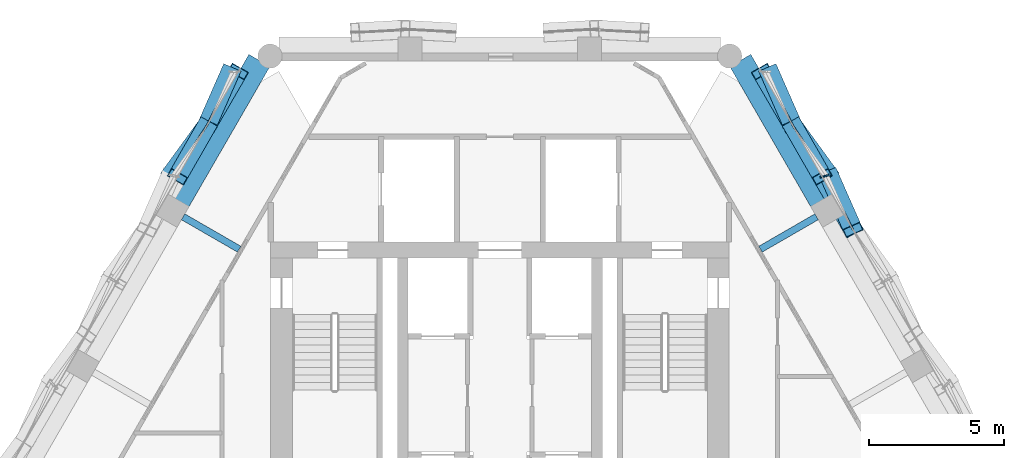
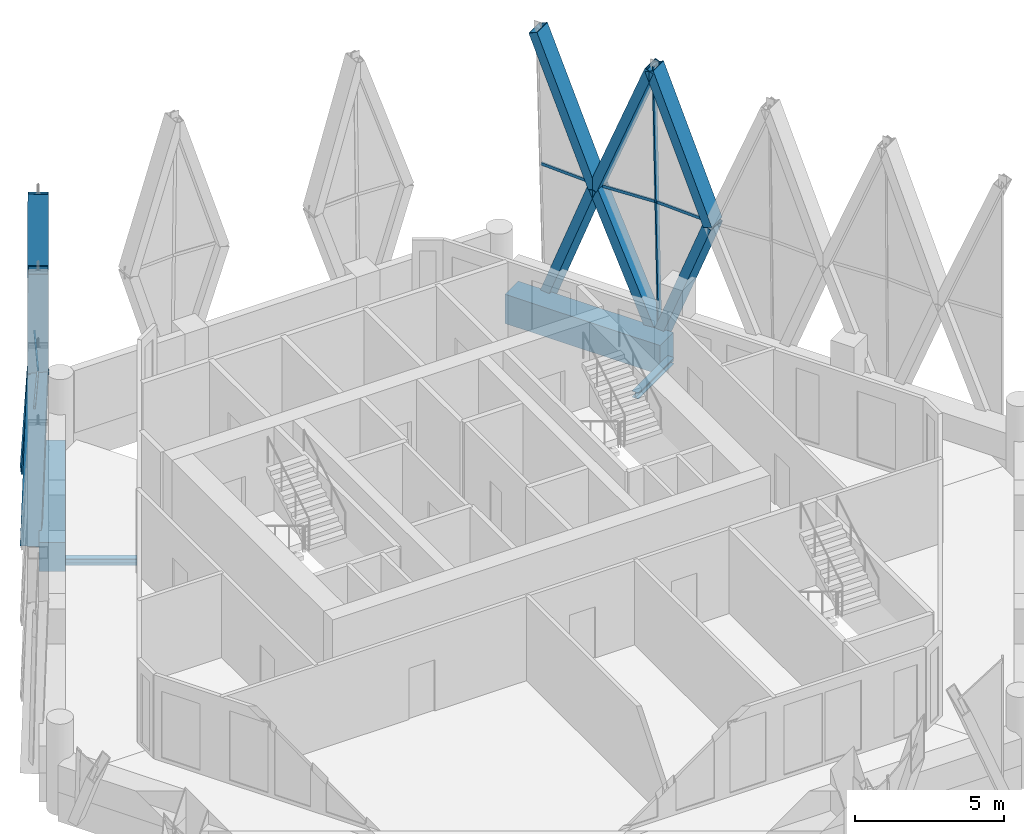
# One storey, part 6 of 21: 17 members, 4 beams, 3 elements without a shape of their own.
"""IFC4 building model written with IfcOpenShell, lengths in metres."""

import ifcopenshell
import ifcopenshell.guid

model = None  # the IFC model being written
_history = None  # IfcOwnerHistory: only IFC2X3 demands one
_inside = {}  # id of a spatial element -> (the spatial element, [elements in it])
_under = {}  # id of a project, library or spatial element -> (it, [spatial elements below it])
_declared = {}  # id of a project -> (the project, [libraries it declares])
_typed = {}  # id of a type object -> (the type object, [elements of that type])
_made_of = {}  # id of a material, layer set ... -> (it, [elements and type objects made of it])


def new_model(schema):
    """Start an empty IFC model of exactly this schema.

    Asked for "IFC4X3", IfcOpenShell would pick the latest addendum, in which some entities
    have other attributes; the version numbers below select the first issue.
    IFC2X3 requires an IfcOwnerHistory on every rooted entity: one is made here for all.
    """
    global model, _history
    if schema == "IFC4X3":
        model = ifcopenshell.file(schema_version=(4, 3, 0, 0))
    else:
        model = ifcopenshell.file(schema=schema)
    _inside.clear()
    _under.clear()
    _declared.clear()
    _typed.clear()
    _made_of.clear()
    _history = None
    if model.schema == "IFC2X3":
        org = make("IfcOrganization", Name="unknown")
        user = make(
            "IfcPersonAndOrganization",
            ThePerson=make("IfcPerson", FamilyName="unknown"),
            TheOrganization=org,
        )
        app = make(
            "IfcApplication",
            ApplicationDeveloper=org,
            Version="unknown",
            ApplicationFullName="unknown",
            ApplicationIdentifier="unknown",
        )
        _history = make(
            "IfcOwnerHistory",
            OwningUser=user,
            OwningApplication=app,
            ChangeAction="ADDED",
            CreationDate=0,
        )
    return model


def make(cls, **values):
    """One entity of the class cls with the attributes given. An attribute that is None is left unset."""
    return model.create_entity(
        cls, **{name: value for name, value in values.items() if value is not None}
    )


def rooted(cls, **values):
    """An entity with a GlobalId (a new one), such as an element, a storey or a relation."""
    return make(cls, GlobalId=ifcopenshell.guid.new(), OwnerHistory=_history, **values)


def si_unit(unit_type, name, prefix=None):
    """IfcSIUnit, for example si_unit("LENGTHUNIT", "METRE", prefix="MILLI")."""
    return make("IfcSIUnit", UnitType=unit_type, Prefix=prefix, Name=name)


def assignment(units):
    """IfcUnitAssignment: the units of a project."""
    return None if units is None else make("IfcUnitAssignment", Units=units)


def point(xyz):
    """IfcCartesianPoint."""
    return None if xyz is None else make("IfcCartesianPoint", Coordinates=xyz)


def direction(xyz):
    """IfcDirection."""
    return None if xyz is None else make("IfcDirection", DirectionRatios=xyz)


def frame(location, z_axis=None, x_axis=None):
    """IfcAxis2Placement3D, a coordinate frame: its origin and axes. An axis left out is left unset."""
    return make(
        "IfcAxis2Placement3D",
        Location=point(location),
        Axis=direction(z_axis),
        RefDirection=direction(x_axis),
    )


def frame_2d(location, x_axis=None):
    """IfcAxis2Placement2D, a coordinate frame in the plane: its origin and x axis."""
    return make(
        "IfcAxis2Placement2D", Location=point(location), RefDirection=direction(x_axis)
    )


def origin():
    """The frame at (0, 0, 0) with its axes left unset."""
    return frame((0.0, 0.0, 0.0))


def origin_2d():
    """The frame at (0, 0) in the plane with its x axis left unset."""
    return frame_2d((0.0, 0.0))


def place(relative_to, where):
    """IfcLocalPlacement: puts the frame where relative to a parent placement (None: the world)."""
    return make(
        "IfcLocalPlacement", PlacementRelTo=relative_to, RelativePlacement=where
    )


def context(
    kind, dimensions, precision=None, world=None, true_north=None, identifier=None
):
    """IfcGeometricRepresentationContext, for example the 3D "Model" context."""
    return make(
        "IfcGeometricRepresentationContext",
        ContextIdentifier=identifier,
        ContextType=kind,
        CoordinateSpaceDimension=dimensions,
        Precision=precision,
        WorldCoordinateSystem=world,
        TrueNorth=true_north,
    )


def subcontext(parent, identifier, kind, view, scale=None):
    """IfcGeometricRepresentationSubContext, for example "Body" below "Model"."""
    return make(
        "IfcGeometricRepresentationSubContext",
        ContextIdentifier=identifier,
        ContextType=kind,
        ParentContext=parent,
        TargetScale=scale,
        TargetView=view,
    )


def project(units=None, contexts=None):
    """IfcProject with its units and contexts."""
    return rooted(
        "IfcProject",
        Name="project",
        RepresentationContexts=contexts,
        UnitsInContext=assignment(units),
    )


def spatial(cls, under=None, at=None, **own):
    """A site, building, storey or space (cls), placed at a placement, below another one or the project."""
    s = rooted(cls, ObjectPlacement=at, **own)
    if under is not None:
        _under.setdefault(under.id(), (under, []))[1].append(s)
    return s


def profile(cls, at=None, kind="AREA", **sizes):
    """A parametric profile (cls). Its sizes go by their IFC names, for example OverallWidth=200.0."""
    return make(cls, ProfileType=kind, Position=at, **sizes)


def rectangle(**sizes):
    """IfcRectangleProfileDef."""
    return profile("IfcRectangleProfileDef", **sizes)


def hollow_rectangle(**sizes):
    """IfcRectangleHollowProfileDef."""
    return profile("IfcRectangleHollowProfileDef", **sizes)


def i_section(**sizes):
    """IfcIShapeProfileDef."""
    return profile("IfcIShapeProfileDef", **sizes)


def extrude(swept, where, along, depth):
    """IfcExtrudedAreaSolid: the profile swept, set in the frame where, extruded along a direction by depth."""
    return make(
        "IfcExtrudedAreaSolid",
        SweptArea=swept,
        Position=where,
        ExtrudedDirection=direction(along),
        Depth=depth,
    )


def shape(context_of_items, identifier, shape_type, items):
    """IfcShapeRepresentation: the items that make up one representation, for example the "Body"."""
    return make(
        "IfcShapeRepresentation",
        ContextOfItems=context_of_items,
        RepresentationIdentifier=identifier,
        RepresentationType=shape_type,
        Items=items,
    )


def material(Name=None, Category=None):
    """IfcMaterial."""
    return make("IfcMaterial", Name=Name, Category=Category)


def material_profile(
    of_material, cross_section, Name=None, Category=None, Priority=None
):
    """IfcMaterialProfile: a cross section and its material."""
    return make(
        "IfcMaterialProfile",
        Name=Name,
        Material=of_material,
        Profile=cross_section,
        Priority=Priority,
        Category=Category,
    )


def profile_set(profiles, Name=None, composite=None):
    """IfcMaterialProfileSet."""
    return make(
        "IfcMaterialProfileSet",
        Name=Name,
        MaterialProfiles=profiles,
        CompositeProfile=composite,
    )


def made_of(thing, what):
    """Note that an element or type object is made of a material, layer set ...; save() writes the relation."""
    if what is not None:
        _made_of.setdefault(what.id(), (what, []))[1].append(thing)
    return thing


def type_object(cls, material=None, **own):
    """A type object (cls), such as IfcWallType, which elements share."""
    return made_of(rooted(cls, **own), material)


def element(
    cls,
    number,
    at=None,
    inside=None,
    cuts=None,
    type_object=None,
    material=None,
    context=None,
    identifier="Body",
    shape_type=None,
    held_by="IfcProductDefinitionShape",
    body=None,
    shapes=None,
    **own,
):
    """One element of the class cls, such as IfcWall. Its Tag is "e" and its number.

    at: its placement. inside: the storey or other place that contains it. cuts: it is an
    opening in that element (IfcRelVoidsElement). A single representation is given by context,
    identifier, shape_type and body (its items); several are given by shapes. held_by: the class
    of the entity that holds the representations. save() writes the other relations.
    """
    e = rooted(cls, Tag="e%d" % number, ObjectPlacement=at, **own)
    if body is not None:
        shapes = [shape(context, identifier, shape_type, body)]
    if shapes is not None:
        e.Representation = make(held_by, Representations=shapes)
    if inside is not None:
        _inside.setdefault(inside.id(), (inside, []))[1].append(e)
    if cuts is not None:
        rooted(
            "IfcRelVoidsElement", RelatingBuildingElement=cuts, RelatedOpeningElement=e
        )
    if type_object is not None:
        _typed.setdefault(type_object.id(), (type_object, []))[1].append(e)
    return made_of(e, material)


def aggregate(whole, parts):
    """IfcRelAggregates: a whole, such as a stair, and the parts it consists of."""
    return rooted("IfcRelAggregates", RelatingObject=whole, RelatedObjects=parts)


def save(model, path):
    """Write the relations noted so far, then the file.

    IfcRelAggregates (storeys below a building ...), IfcRelContainedInSpatialStructure (elements
    in a storey), IfcRelDefinesByType, IfcRelAssociatesMaterial and IfcRelDeclares: one each for
    every whole, place, type object, material and project.
    """
    for whole, parts in _under.values():
        aggregate(whole, parts)
    for where, things in _inside.values():
        rooted(
            "IfcRelContainedInSpatialStructure",
            RelatedElements=things,
            RelatingStructure=where,
        )
    for kind, things in _typed.values():
        rooted("IfcRelDefinesByType", RelatedObjects=things, RelatingType=kind)
    for what, things in _made_of.values():
        rooted("IfcRelAssociatesMaterial", RelatedObjects=things, RelatingMaterial=what)
    for by, libraries in _declared.values():
        rooted("IfcRelDeclares", RelatingContext=by, RelatedDefinitions=libraries)
    model.write(path)


model = new_model("IFC4")

# Units and contexts
model_context = context("Model", 3, precision=1e-05, world=origin(), true_north=direction((0.0, 1.0)))
body_context = subcontext(model_context, "Body", "Model", "MODEL_VIEW")
ifc_project = project(units=[si_unit("LENGTHUNIT", "METRE"), si_unit("AREAUNIT", "SQUARE_METRE"), si_unit("VOLUMEUNIT", "CUBIC_METRE"), si_unit("PLANEANGLEUNIT", "RADIAN"), si_unit("MASSUNIT", "GRAM", prefix="KILO")], contexts=[model_context])

# Site, building, storey
site_placement = place(None, origin())
site = spatial("IfcSite", under=ifc_project, at=site_placement, CompositionType="ELEMENT")
building_placement = place(site_placement, origin())
building = spatial("IfcBuilding", under=site, at=building_placement, Name="Ostrander Bayou Hotel Tower", CompositionType="ELEMENT")
storey_placement = place(building_placement, frame((0.0, 0.0, 256.25)))
storey = spatial("IfcBuildingStorey", under=building, at=storey_placement, Name="L63", CompositionType="ELEMENT", Elevation=256.25)

# Curtain wall, members
ifc_material_1 = material(Name="Aluminium and clear glass", Category="aluminium")
curtain_wall_type = type_object("IfcCurtainWallType", Name="CW-LAT lattice glazing", PredefinedType="NOTDEFINED", material=ifc_material_1)
curtain_wall_1_placement = place(storey_placement, origin())
curtain_wall_1 = element("IfcCurtainWall", 1, at=curtain_wall_1_placement, inside=storey, type_object=curtain_wall_type, Name="CW-LAT L63 NE 1", PredefinedType="NOTDEFINED")
ifc_material_2 = material(Name="Aluminium", Category="aluminium")
ifc_material_profile_1 = material_profile(ifc_material_2, hollow_rectangle(XDim=0.06005859375, YDim=0.159912109375, WallThickness=0.00390625, at=origin_2d()))
ifc_profile_set_1 = profile_set([ifc_material_profile_1], Name="Aluminium")
member_type_1 = type_object("IfcMemberType", Name="CW-LA mullion 60 x 160 mm", PredefinedType="MULLION", material=ifc_profile_set_1)
member_1_placement = place(storey_placement, frame((12.20751953125, 12.174072265625, -0.60009765625), z_axis=(-0.022042924236, -0.005467339476, 0.999742075583), x_axis=(0.240736986276, -0.970590389113, 0.0)))
member_1 = element("IfcMember", 2, at=member_1_placement, type_object=member_type_1, Name="CW-LAT mullion 12", PredefinedType="MULLION", context=body_context, shape_type="SweptSolid", body=[
    extrude(hollow_rectangle(XDim=0.06005859375, YDim=0.159912109375, WallThickness=0.00390625, at=origin_2d()), origin(), (0.0, 0.0, 1.0), 5.62646484375),
])
member_2_placement = place(storey_placement, frame((12.08349609375, 12.143310546875, 5.02490234375), z_axis=(-0.022042924236, -0.005467339476, 0.999742075583), x_axis=(0.240736986276, -0.970590389113, 0.0)))
member_2 = element("IfcMember", 3, at=member_2_placement, type_object=member_type_1, Name="CW-LAT mullion 13", PredefinedType="MULLION", context=body_context, shape_type="SweptSolid", body=[
    extrude(hollow_rectangle(XDim=0.06005859375, YDim=0.159912109375, WallThickness=0.00390625, at=origin_2d()), origin(), (0.0, 0.0, 1.0), 5.62646484375),
])
aggregate(curtain_wall_1, [member_1, member_2])

curtain_wall_2_placement = place(storey_placement, origin())
curtain_wall_2 = element("IfcCurtainWall", 4, at=curtain_wall_2_placement, inside=storey, type_object=curtain_wall_type, Name="CW-LAT L63 NW 2", PredefinedType="NOTDEFINED")
ifc_material_3 = material(Name="Aluminium", Category="aluminium")
ifc_material_profile_2 = material_profile(ifc_material_3, hollow_rectangle(XDim=0.06005859375, YDim=0.1201171875, WallThickness=0.00390625, at=origin_2d()))
ifc_profile_set_2 = profile_set([ifc_material_profile_2], Name="Aluminium")
member_type_2 = type_object("IfcMemberType", Name="CW-LA transom 60 x 120 mm", PredefinedType="USERDEFINED", material=ifc_profile_set_2)
member_3_placement = place(storey_placement, frame((-9.84619140625, 16.0185546875, 5.02490234375), z_axis=(-0.45430446294, -0.890846482259, 0.0), x_axis=(0.890846482259, -0.45430446294, 0.0)))
member_3 = element("IfcMember", 5, at=member_3_placement, type_object=member_type_2, Name="CW-LAT transom 3", ObjectType="TRANSOM", PredefinedType="USERDEFINED", context=body_context, shape_type="SweptSolid", body=[
    extrude(hollow_rectangle(XDim=0.06005859375, YDim=0.1201171875, WallThickness=0.00390625, at=origin_2d()), origin(), (0.0, 0.0, 1.0), 2.240478515625),
])
member_4_placement = place(storey_placement, frame((-12.08349609375, 12.143310546875, 5.02490234375), z_axis=(0.544321698399, 0.838876563418, 0.0), x_axis=(-0.838876563418, 0.544321698399, 0.0)))
member_4 = element("IfcMember", 6, at=member_4_placement, type_object=member_type_2, Name="CW-LAT transom 6", ObjectType="TRANSOM", PredefinedType="USERDEFINED", context=body_context, shape_type="SweptSolid", body=[
    extrude(hollow_rectangle(XDim=0.06005859375, YDim=0.1201171875, WallThickness=0.00390625, at=origin_2d()), origin(), (0.0, 0.0, 1.0), 2.240478515625),
])
aggregate(curtain_wall_2, [member_3, member_4])

curtain_wall_3_placement = place(storey_placement, origin())
curtain_wall_3 = element("IfcCurtainWall", 7, at=curtain_wall_3_placement, inside=storey, type_object=curtain_wall_type, Name="CW-LAT L63 NE 2", PredefinedType="NOTDEFINED")
member_5_placement = place(storey_placement, frame((12.08349609375, 12.143310546875, 5.02490234375), z_axis=(0.454348569345, -0.890823987965, 0.0), x_axis=(0.890823987965, 0.454348569345, 0.0)))
member_5 = element("IfcMember", 8, at=member_5_placement, type_object=member_type_2, Name="CW-LAT transom 14", ObjectType="TRANSOM", PredefinedType="USERDEFINED", context=body_context, shape_type="SweptSolid", body=[
    extrude(hollow_rectangle(XDim=0.06005859375, YDim=0.1201171875, WallThickness=0.00390625, at=origin_2d()), origin(), (0.0, 0.0, 1.0), 2.240234375),
])
member_6_placement = place(storey_placement, frame((12.08349609375, 12.143310546875, 5.02490234375), z_axis=(-0.544321698399, 0.838876563418, 0.0), x_axis=(-0.838876563418, -0.544321698399, 0.0)))
member_6 = element("IfcMember", 9, at=member_6_placement, type_object=member_type_2, Name="CW-LAT transom 15", ObjectType="TRANSOM", PredefinedType="USERDEFINED", context=body_context, shape_type="SweptSolid", body=[
    extrude(hollow_rectangle(XDim=0.06005859375, YDim=0.1201171875, WallThickness=0.00390625, at=origin_2d()), origin(), (0.0, 0.0, 1.0), 2.240478515625),
])
member_7_placement = place(storey_placement, frame((9.84619140625, 16.0185546875, 5.02490234375), z_axis=(0.45430446294, -0.890846482259, 0.0), x_axis=(0.890846482259, 0.45430446294, 0.0)))
member_7 = element("IfcMember", 10, at=member_7_placement, type_object=member_type_2, Name="CW-LAT transom 18", ObjectType="TRANSOM", PredefinedType="USERDEFINED", context=body_context, shape_type="SweptSolid", body=[
    extrude(hollow_rectangle(XDim=0.06005859375, YDim=0.1201171875, WallThickness=0.00390625, at=origin_2d()), origin(), (0.0, 0.0, 1.0), 2.240478515625),
])
aggregate(curtain_wall_3, [member_5, member_6, member_7])

# Beams
ifc_material_4 = material(Name="Steel ASTM A992", Category="steel")
ifc_material_profile_3 = material_profile(ifc_material_4, i_section(OverallWidth=0.25390625, OverallDepth=0.25341796875, WebThickness=0.008544921875, FlangeThickness=0.01416015625, at=origin_2d()))
ifc_profile_set_3 = profile_set([ifc_material_profile_3], Name="Steel ASTM A992")
beam_type_1 = type_object("IfcBeamType", Name="LB2 loggia bracket W10x49", PredefinedType="BEAM", material=ifc_profile_set_3)
for number, where, z_axis, x_axis, name in (
    (11, (-11.749267578125, 10.627685546875, -0.4267578125), (0.866050077142, -0.499957262057, 0.0), (0.499957262057, 0.866050077142, 0.0), "LB2 L63 NW1"),
    (12, (11.749267578125, 10.627685546875, -0.4267578125), (-0.866050077142, -0.499957262057, 0.0), (0.499957262057, -0.866050077142, 0.0), "LB2 L63 NE2"),
):
    element("IfcBeam", number, at=place(storey_placement, frame(where, z_axis=z_axis, x_axis=x_axis)), inside=storey, type_object=beam_type_1, Name=name, PredefinedType="BEAM", context=body_context, shape_type="SweptSolid", body=[
        extrude(i_section(OverallWidth=0.25390625, OverallDepth=0.25341796875, WebThickness=0.008544921875, FlangeThickness=0.01416015625, at=origin_2d()), origin(), (0.0, 0.0, 1.0), 2.400146484375),
    ])

# Members
ifc_material_5 = material(Name="Steel ASTM A572 Gr 50", Category="steel")
ifc_material_profile_4 = material_profile(ifc_material_5, hollow_rectangle(XDim=0.699951171875, YDim=0.35009765625, WallThickness=0.02490234375, at=origin_2d()))
ifc_profile_set_4 = profile_set([ifc_material_profile_4], Name="Steel ASTM A572 Gr 50")
member_type_3 = type_object("IfcMemberType", Name="LT1 lattice member box 700 x 350 x 25 mm", PredefinedType="BRACE", material=ifc_profile_set_4)
member_8_placement = place(storey_placement, frame((-10.864013671875, 14.022705078125, 5.02490234375), z_axis=(0.145248521931, 0.33084610387, -0.93243966155), x_axis=(-0.915645035724, 0.401987771647, 0.0)))
element("IfcMember", 13, at=member_8_placement, inside=storey, type_object=member_type_3, Name="LT1 L63 NW 1", PredefinedType="BRACE", context=body_context, shape_type="SweptSolid", body=[
    extrude(hollow_rectangle(XDim=0.699951171875, YDim=0.35009765625, WallThickness=0.02490234375, at=origin_2d()), origin(), (0.0, 0.0, 1.0), 6.032470703125),
])
member_9_placement = place(storey_placement, frame((-10.864013671875, 14.022705078125, 5.02490234375), z_axis=(0.190728490204, 0.328253769983, 0.925133560907), x_axis=(-0.864640753625, 0.502390651954, 0.0)))
element("IfcMember", 14, at=member_9_placement, inside=storey, type_object=member_type_3, Name="LT1 L63 NW 2", PredefinedType="BRACE", context=body_context, shape_type="SweptSolid", body=[
    extrude(hollow_rectangle(XDim=0.699951171875, YDim=0.35009765625, WallThickness=0.02490234375, at=origin_2d()), origin(), (0.0, 0.0, 1.0), 6.080322265625),
])
member_10_placement = place(storey_placement, frame((-10.864013671875, 14.022705078125, 5.02490234375), z_axis=(-0.221280822703, -0.304477265039, -0.926460140847), x_axis=(0.808934688634, -0.587898519751, 0.0)))
element("IfcMember", 15, at=member_10_placement, inside=storey, type_object=member_type_3, Name="LT1 L63 NW 3", PredefinedType="BRACE", context=body_context, shape_type="SweptSolid", body=[
    extrude(hollow_rectangle(XDim=0.699951171875, YDim=0.35009765625, WallThickness=0.02490234375, at=origin_2d()), origin(), (0.0, 0.0, 1.0), 6.071533203125),
])
member_11_placement = place(storey_placement, frame((-10.864013671875, 14.022705078125, 5.02490234375), z_axis=(-0.18134811444, -0.316217438685, 0.931192457476), x_axis=(0.867471099323, -0.497487579583, 0.0)))
element("IfcMember", 16, at=member_11_placement, inside=storey, type_object=member_type_3, Name="LT1 L63 NW 4", PredefinedType="BRACE", context=body_context, shape_type="SweptSolid", body=[
    extrude(hollow_rectangle(XDim=0.699951171875, YDim=0.35009765625, WallThickness=0.02490234375, at=origin_2d()), origin(), (0.0, 0.0, 1.0), 6.04052734375),
])
member_12_placement = place(storey_placement, frame((13.101318359375, 10.147705078125, 5.02490234375), z_axis=(-0.147850175557, 0.33519706559, -0.930474745927), x_axis=(-0.914948929609, -0.403569642325, 0.0)))
element("IfcMember", 17, at=member_12_placement, inside=storey, type_object=member_type_3, Name="LT1 L63 NE 11", PredefinedType="BRACE", context=body_context, shape_type="SweptSolid", body=[
    extrude(hollow_rectangle(XDim=0.699951171875, YDim=0.35009765625, WallThickness=0.02490234375, at=origin_2d()), origin(), (0.0, 0.0, 1.0), 6.04541015625),
])
member_13_placement = place(storey_placement, frame((13.101318359375, 10.147705078125, 5.02490234375), z_axis=(-0.188214782527, 0.32387268971, 0.927190205135), x_axis=(-0.864603789033, -0.502454264576, 0.0)))
element("IfcMember", 18, at=member_13_placement, inside=storey, type_object=member_type_3, Name="LT1 L63 NE 12", PredefinedType="BRACE", context=body_context, shape_type="SweptSolid", body=[
    extrude(hollow_rectangle(XDim=0.699951171875, YDim=0.35009765625, WallThickness=0.02490234375, at=origin_2d()), origin(), (0.0, 0.0, 1.0), 6.066650390625),
])
member_14_placement = place(storey_placement, frame((10.864013671875, 14.022705078125, 5.02490234375), z_axis=(0.221280822703, -0.304477265039, -0.926460140847), x_axis=(0.808934688634, 0.587898519751, 0.0)))
element("IfcMember", 19, at=member_14_placement, inside=storey, type_object=member_type_3, Name="LT1 L63 NE 13", PredefinedType="BRACE", context=body_context, shape_type="SweptSolid", body=[
    extrude(hollow_rectangle(XDim=0.699951171875, YDim=0.35009765625, WallThickness=0.02490234375, at=origin_2d()), origin(), (0.0, 0.0, 1.0), 6.071533203125),
])
member_15_placement = place(storey_placement, frame((10.864013671875, 14.022705078125, 5.02490234375), z_axis=(0.18134811444, -0.316217438685, 0.931192457476), x_axis=(0.867471099323, 0.497487579583, 0.0)))
element("IfcMember", 20, at=member_15_placement, inside=storey, type_object=member_type_3, Name="LT1 L63 NE 14", PredefinedType="BRACE", context=body_context, shape_type="SweptSolid", body=[
    extrude(hollow_rectangle(XDim=0.699951171875, YDim=0.35009765625, WallThickness=0.02490234375, at=origin_2d()), origin(), (0.0, 0.0, 1.0), 6.04052734375),
])
member_16_placement = place(storey_placement, frame((10.864013671875, 14.022705078125, 5.02490234375), z_axis=(-0.145248521931, 0.33084610387, -0.93243966155), x_axis=(-0.915645035724, -0.401987771647, 0.0)))
element("IfcMember", 21, at=member_16_placement, inside=storey, type_object=member_type_3, Name="LT1 L63 NE 15", PredefinedType="BRACE", context=body_context, shape_type="SweptSolid", body=[
    extrude(hollow_rectangle(XDim=0.699951171875, YDim=0.35009765625, WallThickness=0.02490234375, at=origin_2d()), origin(), (0.0, 0.0, 1.0), 6.032470703125),
])
member_17_placement = place(storey_placement, frame((10.864013671875, 14.022705078125, 5.02490234375), z_axis=(-0.190728490204, 0.328253769983, 0.925133560907), x_axis=(-0.864640753625, -0.502390651954, 0.0)))
element("IfcMember", 22, at=member_17_placement, inside=storey, type_object=member_type_3, Name="LT1 L63 NE 16", PredefinedType="BRACE", context=body_context, shape_type="SweptSolid", body=[
    extrude(hollow_rectangle(XDim=0.699951171875, YDim=0.35009765625, WallThickness=0.02490234375, at=origin_2d()), origin(), (0.0, 0.0, 1.0), 6.080322265625),
])

# Beams
ifc_material_6 = material(Name="Concrete f'c 60 MPa", Category="concrete")
ifc_material_profile_5 = material_profile(ifc_material_6, rectangle(XDim=0.89990234375, YDim=1.199951171875, at=origin_2d()))
ifc_profile_set_5 = profile_set([ifc_material_profile_5], Name="Concrete f'c 60 MPa")
beam_type_2 = type_object("IfcBeamType", Name="SP4 spandrel beam 900 x 1200 mm f'c 60 MPa", PredefinedType="SPANDREL", material=ifc_profile_set_5)
for number, where, z_axis, x_axis, name in (
    (23, (-8.919921875, 16.427978515625, -0.60009765625), (-0.500026811154, -0.866009923804, 0.0), (0.866009923804, -0.500026811154, 0.0), "SP4 L63 NW-1"),
    (24, (11.928955078125, 11.216552734375, -0.60009765625), (-0.500026811154, 0.866009923804, 0.0), (-0.866009923804, -0.500026811154, 0.0), "SP4 L63 NE-3"),
):
    element("IfcBeam", number, at=place(storey_placement, frame(where, z_axis=z_axis, x_axis=x_axis)), inside=storey, type_object=beam_type_2, Name=name, PredefinedType="SPANDREL", context=body_context, shape_type="SweptSolid", body=[
        extrude(rectangle(XDim=0.89990234375, YDim=1.199951171875, at=origin_2d()), origin(), (0.0, 0.0, 1.0), 6.017822265625),
    ])

save(model, "model.ifc")
